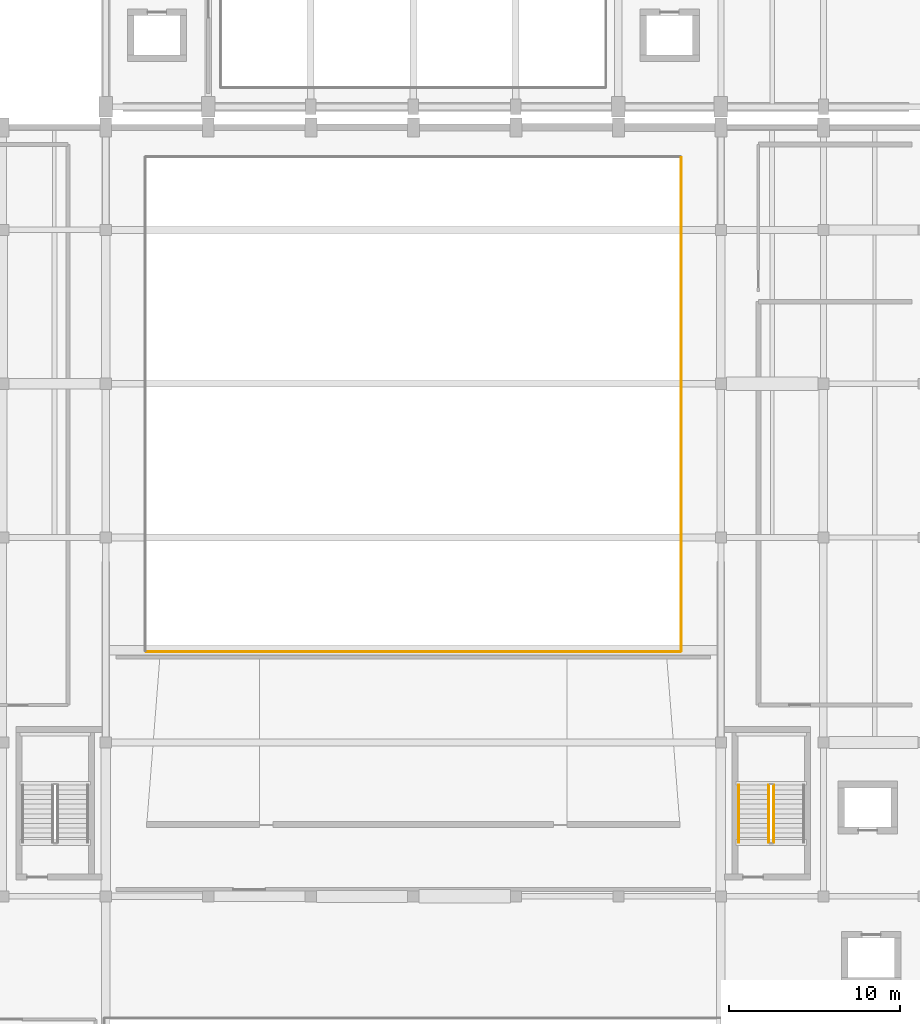
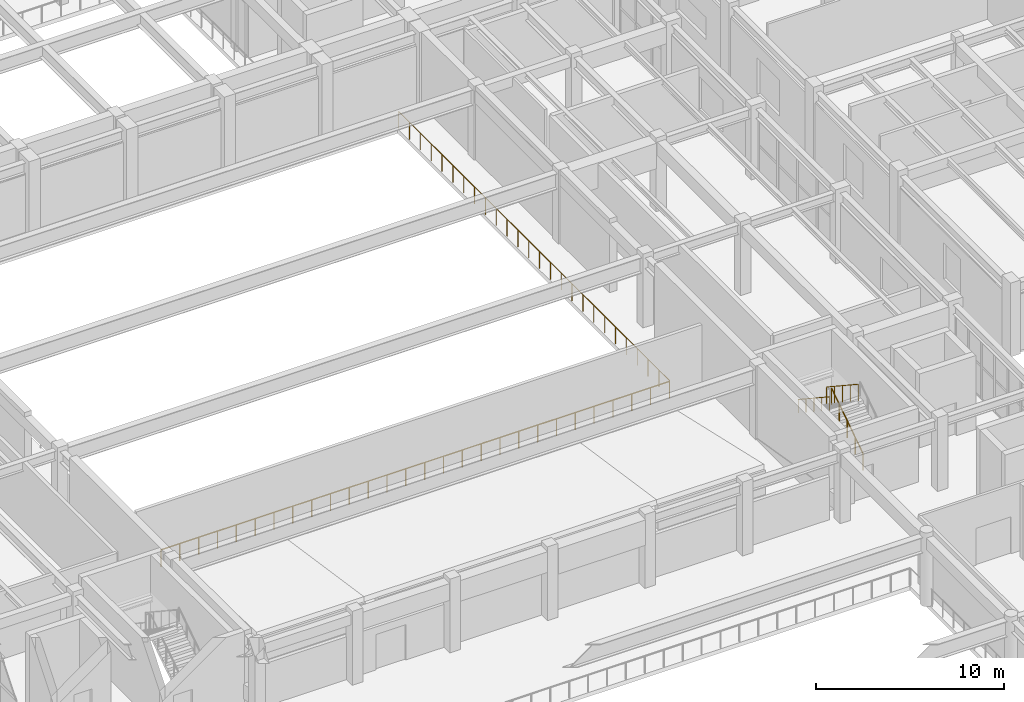
# One storey, part 73 of 80: 5 railings.
"""IFC4 building model written with IfcOpenShell, lengths in metres."""

from ifc_helpers import new_model, si_unit, direction, frame, origin, origin_2d, place, context, subcontext, project, spatial, circle, extrude, material, type_object, element, save


model = new_model("IFC4")

# Units and contexts
model_context = context("Model", 3, precision=1e-05, world=origin(), true_north=direction((0.0, 1.0)))
body_context = subcontext(model_context, "Body", "Model", "MODEL_VIEW")
ifc_project = project(units=[si_unit("LENGTHUNIT", "METRE"), si_unit("AREAUNIT", "SQUARE_METRE"), si_unit("VOLUMEUNIT", "CUBIC_METRE"), si_unit("PLANEANGLEUNIT", "RADIAN"), si_unit("MASSUNIT", "GRAM", prefix="KILO")], contexts=[model_context])

# Site, building, storey
site_placement = place(None, origin())
site = spatial("IfcSite", under=ifc_project, at=site_placement, CompositionType="ELEMENT")
building_placement = place(site_placement, origin())
building = spatial("IfcBuilding", under=site, at=building_placement, Name="Vaelkrest Opera House", CompositionType="ELEMENT")
storey_placement = place(building_placement, frame((0.0, 0.0, 15.0)))
storey = spatial("IfcBuildingStorey", under=building, at=storey_placement, Name="L03", CompositionType="ELEMENT", Elevation=15.0)

# Railings
ifc_material = material(Name="Dark bronze anodized aluminium", Category="aluminium")
railing_type_1 = type_object("IfcRailingType", Name="BL01", PredefinedType="BALUSTRADE", material=ifc_material)
railing_1_placement = place(storey_placement, frame((-15.639892578125, -14.47998046875, 0.0)))
element("IfcRailing", 1, at=railing_1_placement, inside=storey, type_object=railing_type_1, Name="Atrium/stage void guard V1 L03-1 seg 1", PredefinedType="BALUSTRADE", context=body_context, shape_type="SweptSolid", body=[
    extrude(circle(Radius=0.02392578125, at=origin_2d()), frame((0.0, 0.0, 1.09619140625), z_axis=(1.0, 0.0, 0.0), x_axis=(0.0, 1.0, 0.0)), (0.0, 0.0, 1.0), 31.27978515625),
    extrude(circle(Radius=0.02099609375, at=origin_2d()), origin(), (0.0, 0.0, 1.0), 1.072021484375),
    extrude(circle(Radius=0.02099609375, at=origin_2d()), frame((1.158447265625, 0.0, 0.0)), (0.0, 0.0, 1.0), 1.072021484375),
    extrude(circle(Radius=0.02099609375, at=origin_2d()), frame((2.317138671875, 0.0, 0.0)), (0.0, 0.0, 1.0), 1.072021484375),
    extrude(circle(Radius=0.02099609375, at=origin_2d()), frame((3.4755859375, 0.0, 0.0)), (0.0, 0.0, 1.0), 1.072021484375),
    extrude(circle(Radius=0.02099609375, at=origin_2d()), frame((4.634033203125, 0.0, 0.0)), (0.0, 0.0, 1.0), 1.072021484375),
    extrude(circle(Radius=0.02099609375, at=origin_2d()), frame((5.79248046875, 0.0, 0.0)), (0.0, 0.0, 1.0), 1.072021484375),
    extrude(circle(Radius=0.02099609375, at=origin_2d()), frame((6.951171875, 0.0, 0.0)), (0.0, 0.0, 1.0), 1.072021484375),
    extrude(circle(Radius=0.02099609375, at=origin_2d()), frame((8.109619140625, 0.0, 0.0)), (0.0, 0.0, 1.0), 1.072021484375),
    extrude(circle(Radius=0.02099609375, at=origin_2d()), frame((9.26806640625, 0.0, 0.0)), (0.0, 0.0, 1.0), 1.072021484375),
    extrude(circle(Radius=0.02099609375, at=origin_2d()), frame((10.426513671875, 0.0, 0.0)), (0.0, 0.0, 1.0), 1.072021484375),
    extrude(circle(Radius=0.02099609375, at=origin_2d()), frame((11.585205078125, 0.0, 0.0)), (0.0, 0.0, 1.0), 1.072021484375),
    extrude(circle(Radius=0.02099609375, at=origin_2d()), frame((12.74365234375, 0.0, 0.0)), (0.0, 0.0, 1.0), 1.072021484375),
    extrude(circle(Radius=0.02099609375, at=origin_2d()), frame((13.902099609375, 0.0, 0.0)), (0.0, 0.0, 1.0), 1.072021484375),
    extrude(circle(Radius=0.02099609375, at=origin_2d()), frame((15.060546875, 0.0, 0.0)), (0.0, 0.0, 1.0), 1.072021484375),
    extrude(circle(Radius=0.02099609375, at=origin_2d()), frame((16.21923828125, 0.0, 0.0)), (0.0, 0.0, 1.0), 1.072021484375),
    extrude(circle(Radius=0.02099609375, at=origin_2d()), frame((17.377685546875, 0.0, 0.0)), (0.0, 0.0, 1.0), 1.072021484375),
    extrude(circle(Radius=0.02099609375, at=origin_2d()), frame((18.5361328125, 0.0, 0.0)), (0.0, 0.0, 1.0), 1.072021484375),
    extrude(circle(Radius=0.02099609375, at=origin_2d()), frame((19.694580078125, 0.0, 0.0)), (0.0, 0.0, 1.0), 1.072021484375),
    extrude(circle(Radius=0.02099609375, at=origin_2d()), frame((20.853271484375, 0.0, 0.0)), (0.0, 0.0, 1.0), 1.072021484375),
    extrude(circle(Radius=0.02099609375, at=origin_2d()), frame((22.01171875, 0.0, 0.0)), (0.0, 0.0, 1.0), 1.072021484375),
    extrude(circle(Radius=0.02099609375, at=origin_2d()), frame((23.170166015625, 0.0, 0.0)), (0.0, 0.0, 1.0), 1.072021484375),
    extrude(circle(Radius=0.02099609375, at=origin_2d()), frame((24.32861328125, 0.0, 0.0)), (0.0, 0.0, 1.0), 1.072021484375),
    extrude(circle(Radius=0.02099609375, at=origin_2d()), frame((25.4873046875, 0.0, 0.0)), (0.0, 0.0, 1.0), 1.072021484375),
    extrude(circle(Radius=0.02099609375, at=origin_2d()), frame((26.645751953125, 0.0, 0.0)), (0.0, 0.0, 1.0), 1.072021484375),
    extrude(circle(Radius=0.02099609375, at=origin_2d()), frame((27.80419921875, 0.0, 0.0)), (0.0, 0.0, 1.0), 1.072021484375),
    extrude(circle(Radius=0.02099609375, at=origin_2d()), frame((28.962646484375, 0.0, 0.0)), (0.0, 0.0, 1.0), 1.072021484375),
    extrude(circle(Radius=0.02099609375, at=origin_2d()), frame((30.121337890625, 0.0, 0.0)), (0.0, 0.0, 1.0), 1.072021484375),
    extrude(circle(Radius=0.02099609375, at=origin_2d()), frame((31.27978515625, 0.0, 0.0)), (0.0, 0.0, 1.0), 1.072021484375),
])
railing_2_placement = place(storey_placement, frame((15.679931640625, -14.43994140625, 0.0)))
element("IfcRailing", 2, at=railing_2_placement, inside=storey, type_object=railing_type_1, Name="Atrium/stage void guard V1 L03-1 seg 2", PredefinedType="BALUSTRADE", context=body_context, shape_type="SweptSolid", body=[
    extrude(circle(Radius=0.02392578125, at=origin_2d()), frame((0.0, 0.0, 1.09619140625), z_axis=(0.0, 1.0, 0.0), x_axis=(-1.0, 0.0, 0.0)), (0.0, 0.0, 1.0), 28.8798828125),
    extrude(circle(Radius=0.02099609375, at=origin_2d()), origin(), (0.0, 0.0, 1.0), 1.072021484375),
    extrude(circle(Radius=0.02099609375, at=origin_2d()), frame((0.0, 1.1552734375, 0.0)), (0.0, 0.0, 1.0), 1.072021484375),
    extrude(circle(Radius=0.02099609375, at=origin_2d()), frame((0.0, 2.310302734375, 0.0)), (0.0, 0.0, 1.0), 1.072021484375),
    extrude(circle(Radius=0.02099609375, at=origin_2d()), frame((0.0, 3.465576171875, 0.0)), (0.0, 0.0, 1.0), 1.072021484375),
    extrude(circle(Radius=0.02099609375, at=origin_2d()), frame((0.0, 4.620849609375, 0.0)), (0.0, 0.0, 1.0), 1.072021484375),
    extrude(circle(Radius=0.02099609375, at=origin_2d()), frame((0.0, 5.77587890625, 0.0)), (0.0, 0.0, 1.0), 1.072021484375),
    extrude(circle(Radius=0.02099609375, at=origin_2d()), frame((0.0, 6.93115234375, 0.0)), (0.0, 0.0, 1.0), 1.072021484375),
    extrude(circle(Radius=0.02099609375, at=origin_2d()), frame((0.0, 8.08642578125, 0.0)), (0.0, 0.0, 1.0), 1.072021484375),
    extrude(circle(Radius=0.02099609375, at=origin_2d()), frame((0.0, 9.241455078125, 0.0)), (0.0, 0.0, 1.0), 1.072021484375),
    extrude(circle(Radius=0.02099609375, at=origin_2d()), frame((0.0, 10.396728515625, 0.0)), (0.0, 0.0, 1.0), 1.072021484375),
    extrude(circle(Radius=0.02099609375, at=origin_2d()), frame((0.0, 11.552001953125, 0.0)), (0.0, 0.0, 1.0), 1.072021484375),
    extrude(circle(Radius=0.02099609375, at=origin_2d()), frame((0.0, 12.70703125, 0.0)), (0.0, 0.0, 1.0), 1.072021484375),
    extrude(circle(Radius=0.02099609375, at=origin_2d()), frame((0.0, 13.8623046875, 0.0)), (0.0, 0.0, 1.0), 1.072021484375),
    extrude(circle(Radius=0.02099609375, at=origin_2d()), frame((0.0, 15.017578125, 0.0)), (0.0, 0.0, 1.0), 1.072021484375),
    extrude(circle(Radius=0.02099609375, at=origin_2d()), frame((0.0, 16.1728515625, 0.0)), (0.0, 0.0, 1.0), 1.072021484375),
    extrude(circle(Radius=0.02099609375, at=origin_2d()), frame((0.0, 17.327880859375, 0.0)), (0.0, 0.0, 1.0), 1.072021484375),
    extrude(circle(Radius=0.02099609375, at=origin_2d()), frame((0.0, 18.483154296875, 0.0)), (0.0, 0.0, 1.0), 1.072021484375),
    extrude(circle(Radius=0.02099609375, at=origin_2d()), frame((0.0, 19.638427734375, 0.0)), (0.0, 0.0, 1.0), 1.072021484375),
    extrude(circle(Radius=0.02099609375, at=origin_2d()), frame((0.0, 20.79345703125, 0.0)), (0.0, 0.0, 1.0), 1.072021484375),
    extrude(circle(Radius=0.02099609375, at=origin_2d()), frame((0.0, 21.94873046875, 0.0)), (0.0, 0.0, 1.0), 1.072021484375),
    extrude(circle(Radius=0.02099609375, at=origin_2d()), frame((0.0, 23.10400390625, 0.0)), (0.0, 0.0, 1.0), 1.072021484375),
    extrude(circle(Radius=0.02099609375, at=origin_2d()), frame((0.0, 24.259033203125, 0.0)), (0.0, 0.0, 1.0), 1.072021484375),
    extrude(circle(Radius=0.02099609375, at=origin_2d()), frame((0.0, 25.414306640625, 0.0)), (0.0, 0.0, 1.0), 1.072021484375),
    extrude(circle(Radius=0.02099609375, at=origin_2d()), frame((0.0, 26.569580078125, 0.0)), (0.0, 0.0, 1.0), 1.072021484375),
    extrude(circle(Radius=0.02099609375, at=origin_2d()), frame((0.0, 27.724609375, 0.0)), (0.0, 0.0, 1.0), 1.072021484375),
    extrude(circle(Radius=0.02099609375, at=origin_2d()), frame((0.0, 28.8798828125, 0.0)), (0.0, 0.0, 1.0), 1.072021484375),
])
railing_type_2 = type_object("IfcRailingType", Name="GR02", PredefinedType="GUARDRAIL", material=ifc_material)
railing_3_placement = place(storey_placement, frame((21.10009765625, -25.64990234375, 0.1845703125)))
element("IfcRailing", 3, at=railing_3_placement, inside=storey, type_object=railing_type_2, Name="L03 ST02 stair guard 1", PredefinedType="GUARDRAIL", context=body_context, shape_type="SweptSolid", body=[
    extrude(circle(Radius=0.02392578125, at=origin_2d()), frame((0.0, 0.0, 1.076171875), z_axis=(0.0, 0.834858096282, 0.550465220583), x_axis=(-1.0, 0.0, 0.0)), (0.0, 0.0, 1.0), 4.0244140625),
    extrude(circle(Radius=0.02099609375, at=origin_2d()), origin(), (0.0, 0.0, 1.0), 1.052001953125),
    extrude(circle(Radius=0.02099609375, at=origin_2d()), frame((0.0, 0.83984375, 0.5537109375)), (0.0, 0.0, 1.0), 1.052001953125),
    extrude(circle(Radius=0.02099609375, at=origin_2d()), frame((0.0, 1.679931640625, 1.107666015625)), (0.0, 0.0, 1.0), 1.052001953125),
    extrude(circle(Radius=0.02099609375, at=origin_2d()), frame((0.0, 2.52001953125, 1.66162109375)), (0.0, 0.0, 1.0), 1.052001953125),
    extrude(circle(Radius=0.02099609375, at=origin_2d()), frame((0.0, 3.35986328125, 2.21533203125)), (0.0, 0.0, 1.0), 1.052001953125),
])
railing_4_placement = place(storey_placement, frame((20.800048828125, -22.2900390625, 2.584716796875)))
element("IfcRailing", 4, at=railing_4_placement, inside=storey, type_object=railing_type_2, Name="L03 ST02 stair guard 3", PredefinedType="GUARDRAIL", context=body_context, shape_type="SweptSolid", body=[
    extrude(circle(Radius=0.02392578125, at=origin_2d()), frame((0.0, 0.0, 1.076171875), z_axis=(0.0, -0.834858096282, 0.550465220583), x_axis=(1.0, 0.0, 0.0)), (0.0, 0.0, 1.0), 4.0244140625),
    extrude(circle(Radius=0.02099609375, at=origin_2d()), origin(), (0.0, 0.0, 1.0), 1.052001953125),
    extrude(circle(Radius=0.02099609375, at=origin_2d()), frame((0.0, -0.83984375, 0.5537109375)), (0.0, 0.0, 1.0), 1.052001953125),
    extrude(circle(Radius=0.02099609375, at=origin_2d()), frame((0.0, -1.679931640625, 1.107666015625)), (0.0, 0.0, 1.0), 1.052001953125),
    extrude(circle(Radius=0.02099609375, at=origin_2d()), frame((0.0, -2.52001953125, 1.66162109375)), (0.0, 0.0, 1.0), 1.052001953125),
    extrude(circle(Radius=0.02099609375, at=origin_2d()), frame((0.0, -3.35986328125, 2.21533203125)), (0.0, 0.0, 1.0), 1.052001953125),
])
railing_type_3 = type_object("IfcRailingType", Name="HR02", PredefinedType="HANDRAIL", material=ifc_material)
railing_5_placement = place(storey_placement, frame((19.050048828125, -22.2900390625, 2.584716796875)))
element("IfcRailing", 5, at=railing_5_placement, inside=storey, type_object=railing_type_3, Name="L03 ST02 stair handrail 2", PredefinedType="HANDRAIL", context=body_context, shape_type="SweptSolid", body=[
    extrude(circle(Radius=0.02392578125, at=origin_2d()), frame((0.0, 0.0, 0.8759765625), z_axis=(0.0, -0.834858096282, 0.550465220583), x_axis=(1.0, 0.0, 0.0)), (0.0, 0.0, 1.0), 4.0244140625),
    extrude(circle(Radius=0.02099609375, at=origin_2d()), origin(), (0.0, 0.0, 1.0), 0.851806640625),
    extrude(circle(Radius=0.02099609375, at=origin_2d()), frame((0.0, -0.83984375, 0.5537109375)), (0.0, 0.0, 1.0), 0.851806640625),
    extrude(circle(Radius=0.02099609375, at=origin_2d()), frame((0.0, -1.679931640625, 1.107666015625)), (0.0, 0.0, 1.0), 0.851806640625),
    extrude(circle(Radius=0.02099609375, at=origin_2d()), frame((0.0, -2.52001953125, 1.66162109375)), (0.0, 0.0, 1.0), 0.851806640625),
    extrude(circle(Radius=0.02099609375, at=origin_2d()), frame((0.0, -3.35986328125, 2.21533203125)), (0.0, 0.0, 1.0), 0.851806640625),
])

save(model, "model.ifc")
